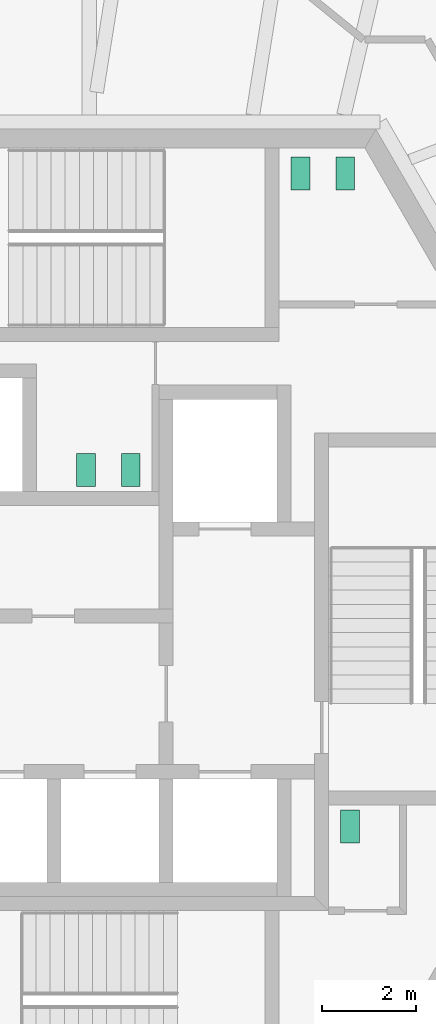
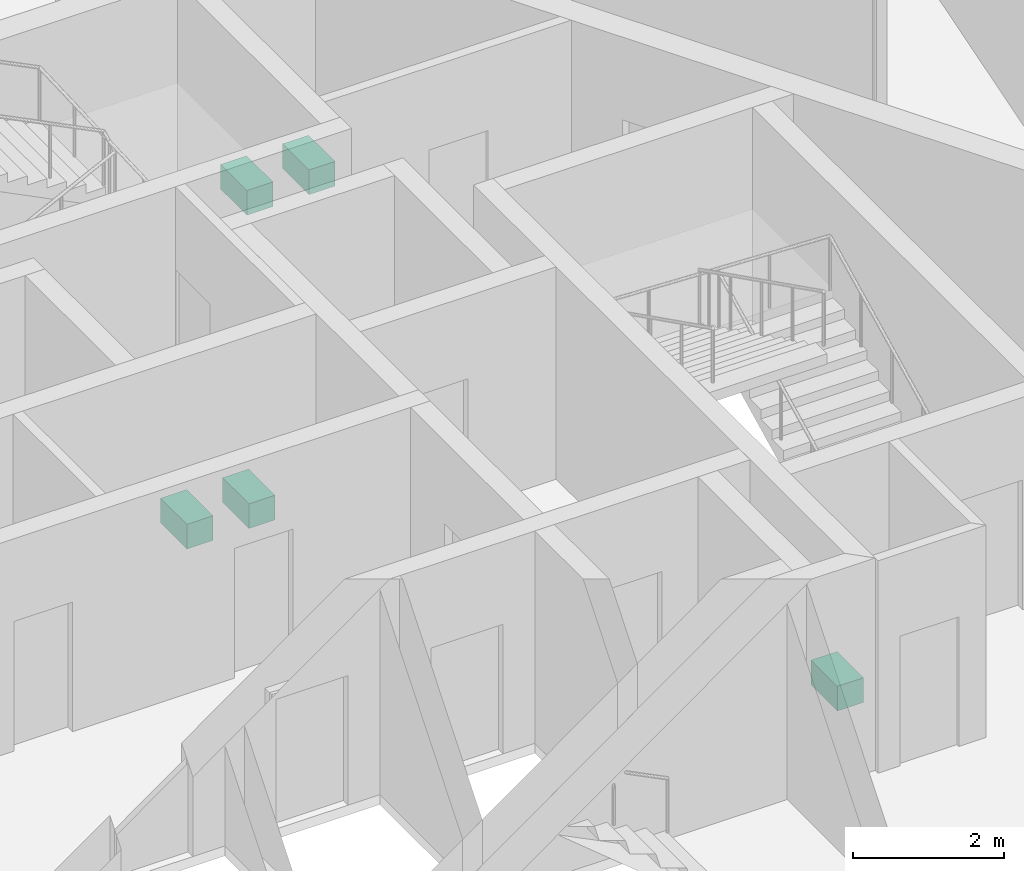
# One storey, part 21 of 23: 5 sanitary terminals.
"""IFC4 building model written with IfcOpenShell, lengths in metres."""

from ifc_helpers import new_model, si_unit, direction, frame, origin, origin_2d, place, context, subcontext, project, spatial, rectangle, extrude, source, transform, mapped, material, element, save


model = new_model("IFC4")

# Units and contexts
model_context = context("Model", 3, precision=1e-05, world=origin(), true_north=direction((0.0, 1.0)))
body_context = subcontext(model_context, "Body", "Model", "MODEL_VIEW")
ifc_project = project(units=[si_unit("LENGTHUNIT", "METRE"), si_unit("AREAUNIT", "SQUARE_METRE"), si_unit("VOLUMEUNIT", "CUBIC_METRE"), si_unit("PLANEANGLEUNIT", "RADIAN"), si_unit("MASSUNIT", "GRAM", prefix="KILO")], contexts=[model_context])

# Site, building, storey
site_placement = place(None, origin())
site = spatial("IfcSite", under=ifc_project, at=site_placement, CompositionType="ELEMENT")
building_placement = place(site_placement, origin())
building = spatial("IfcBuilding", under=site, at=building_placement, Name="Triune Harvest Tower", CompositionType="ELEMENT")
storey_placement = place(building_placement, frame((0.0, 0.0, 167.699951171875)))
storey = spatial("IfcBuildingStorey", under=building, at=storey_placement, Name="L43", CompositionType="ELEMENT", Elevation=167.699951171875)

# Sanitary terminals
ifc_material = material(Name="Vitreous china")
shared_shape = source(origin(), body_context, "Body", "SweptSolid", [
    extrude(rectangle(XDim=0.39990234375, YDim=0.699951171875, at=origin_2d()), origin(), (0.0, 0.0, 1.0), 0.39990234375),
])
for number, where, z_axis, x_axis, name in (
    (1, (4.39990234375, 9.449951171875, 0.0), (0.0, 0.0, 1.0), (1.0, 0.0, 0.0), "Toilet pan L43.c01"),
    (2, (5.35009765625, 9.449951171875, 0.0), (0.0, 0.0, 1.0), (1.0, 0.0, 0.0), "Toilet pan L43.c02"),
    (3, (0.800048828125, 3.159912109375, 0.0), (0.0, 0.0, 1.0), (-1.0, 0.0, 0.0), "Toilet pan L43.c03"),
    (4, (-0.14990234375, 3.159912109375, 0.0), (0.0, 0.0, 1.0), (-1.0, 0.0, 0.0), "Toilet pan L43.c04"),
    (5, (5.449951171875, -4.39990234375, 0.0), (0.0, 0.0, 1.0), (1.0, 0.0, 0.0), "Toilet pan L43.c05"),
):
    element("IfcSanitaryTerminal", number, at=place(storey_placement, frame(where, z_axis=z_axis, x_axis=x_axis)), inside=storey, material=ifc_material, Name=name, PredefinedType="TOILETPAN", context=body_context, shape_type="MappedRepresentation", body=[
        mapped(shared_shape, transform((0.0, 0.0, 0.0), scale=1.0)),
    ])

save(model, "model.ifc")
